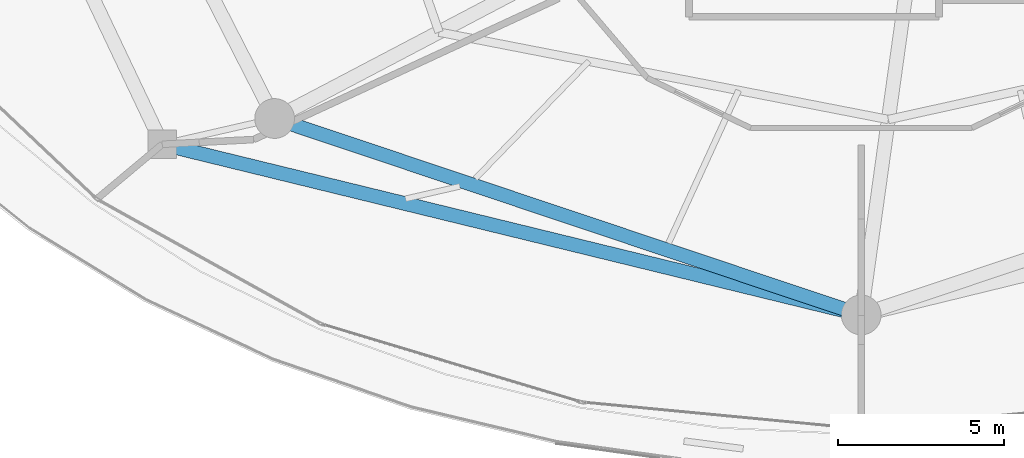
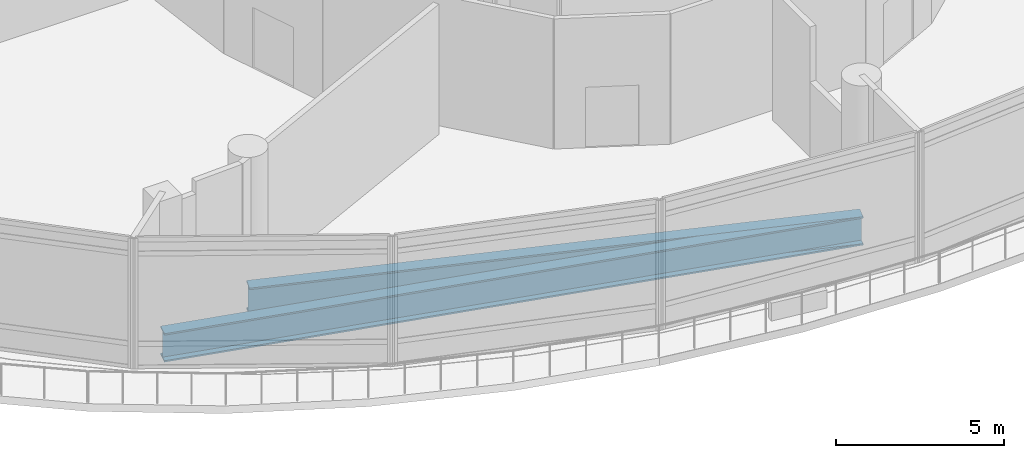
# One storey, part 4 of 34: 2 beams.
"""IFC4 building model written with IfcOpenShell, lengths in metres."""

from ifc_helpers import new_model, si_unit, direction, frame, origin, origin_2d, place, context, subcontext, project, spatial, i_section, extrude, material, material_profile, profile_set, type_object, element, save


model = new_model("IFC4")

# Units and contexts
model_context = context("Model", 3, precision=1e-05, world=origin(), true_north=direction((0.0, 1.0)))
body_context = subcontext(model_context, "Body", "Model", "MODEL_VIEW")
ifc_project = project(units=[si_unit("LENGTHUNIT", "METRE"), si_unit("AREAUNIT", "SQUARE_METRE"), si_unit("VOLUMEUNIT", "CUBIC_METRE"), si_unit("PLANEANGLEUNIT", "RADIAN"), si_unit("MASSUNIT", "GRAM", prefix="KILO")], contexts=[model_context])

# Site, building, storey
site_placement = place(None, origin())
site = spatial("IfcSite", under=ifc_project, at=site_placement, CompositionType="ELEMENT")
building_placement = place(site_placement, origin())
building = spatial("IfcBuilding", under=site, at=building_placement, Name="Nuhasar Tower", CompositionType="ELEMENT")
storey_placement = place(building_placement, frame((0.0, 0.0, 16.0)))
storey = spatial("IfcBuildingStorey", under=building, at=storey_placement, Name="L03", CompositionType="ELEMENT", Elevation=16.0)

# Beams
ifc_material = material(Name="Steel S460", Category="steel")
ifc_material_profile = material_profile(ifc_material, i_section(OverallWidth=0.419921875, OverallDepth=1.0400390625, WebThickness=0.031005859375, FlangeThickness=0.055908203125, at=origin_2d()), Name="W40X397")
ifc_profile_set = profile_set([ifc_material_profile], Name="Steel S460")
beam_type = type_object("IfcBeamType", Name="BM-XFER-W40X397", PredefinedType="USERDEFINED", material=ifc_profile_set)
beam_1_placement = place(storey_placement, frame((21.287109375, 12.48095703125, -0.820068359375), z_axis=(0.948255042429, -0.317509644748, 0.0), x_axis=(0.317509644748, 0.948255042429, 0.0)))
element("IfcBeam", 1, at=beam_1_placement, inside=storey, type_object=beam_type, Name="L03 Mega-Column Ring Girder 01", ObjectType="GIRDER", PredefinedType="USERDEFINED", context=body_context, shape_type="SweptSolid", body=[
    extrude(i_section(OverallWidth=0.419921875, OverallDepth=1.0400390625, WebThickness=0.031005859375, FlangeThickness=0.055908203125, at=origin_2d()), origin(), (0.0, 0.0, 1.0), 18.679443359375),
])
beam_2_placement = place(storey_placement, frame((17.89306640625, 11.702880859375, -0.820068359375), z_axis=(0.971469463574, -0.237164671365, 0.0), x_axis=(0.237164671365, 0.971469463574, 0.0)))
element("IfcBeam", 2, at=beam_2_placement, inside=storey, type_object=beam_type, Name="L03 Podium Ring Girder 01", ObjectType="GIRDER", PredefinedType="USERDEFINED", context=body_context, shape_type="SweptSolid", body=[
    extrude(i_section(OverallWidth=0.419921875, OverallDepth=1.0400390625, WebThickness=0.031005859375, FlangeThickness=0.055908203125, at=origin_2d()), origin(), (0.0, 0.0, 1.0), 21.726806640625),
])

save(model, "model.ifc")
